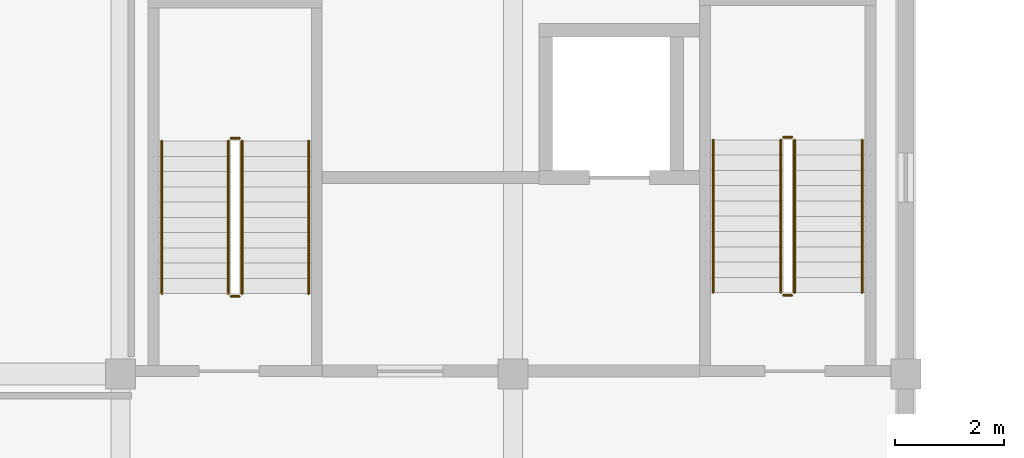
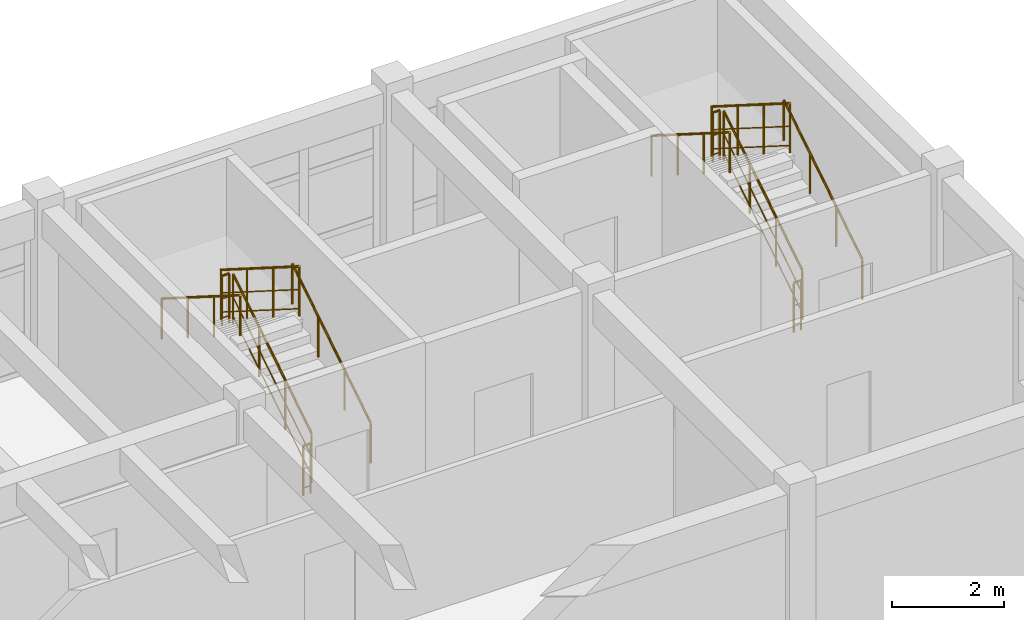
# One storey, part 22 of 22: 12 railings.
"""IFC4 building model written with IfcOpenShell, lengths in metres."""

from ifc_helpers import new_model, si_unit, direction, frame, origin, origin_2d, place, context, subcontext, project, spatial, circle, extrude, material, layer, layer_set, type_object, element, save


model = new_model("IFC4")

# Units and contexts
model_context = context("Model", 3, precision=1e-05, world=origin(), true_north=direction((0.0, 1.0)))
body_context = subcontext(model_context, "Body", "Model", "MODEL_VIEW")
ifc_project = project(units=[si_unit("LENGTHUNIT", "METRE"), si_unit("AREAUNIT", "SQUARE_METRE"), si_unit("VOLUMEUNIT", "CUBIC_METRE"), si_unit("PLANEANGLEUNIT", "RADIAN"), si_unit("MASSUNIT", "GRAM", prefix="KILO")], contexts=[model_context])

# Site, building, storey
site_placement = place(None, origin())
site = spatial("IfcSite", under=ifc_project, at=site_placement, CompositionType="ELEMENT")
building_placement = place(site_placement, origin())
building = spatial("IfcBuilding", under=site, at=building_placement, Name="Koriwan Promenade Central Fire Station", CompositionType="ELEMENT")
storey_placement = place(building_placement, frame((0.0, 0.0, 17.39990234375)))
storey = spatial("IfcBuildingStorey", under=building, at=storey_placement, Name="L04", CompositionType="ELEMENT", Elevation=17.39990234375)

# Railings
ifc_material_1 = material(Name="Steel ASTM A500 Grade C", Category="steel")
ifc_layer_1 = layer(ifc_material_1, 0.050048828125, Name="Steel ASTM A500 Grade C")
ifc_layer_set_1 = layer_set([ifc_layer_1], Name="Steel ASTM A500 Grade C")
railing_type_1 = type_object("IfcRailingType", Name="StairGuard_1100", PredefinedType="BALUSTRADE", material=ifc_layer_set_1)
railing_1_placement = place(storey_placement, frame((98.760009765625, 109.489990234375, 0.177490234375)))
element("IfcRailing", 1, at=railing_1_placement, inside=storey, type_object=railing_type_1, Name="L04 ST04 stair guard 1", PredefinedType="BALUSTRADE", context=body_context, shape_type="SweptSolid", body=[
    extrude(circle(Radius=0.02392578125, at=origin_2d()), frame((0.0, 0.0, 1.076171875), z_axis=(0.0, 0.844908973607, 0.534910110503), x_axis=(-1.0, 0.0, 0.0)), (0.0, 0.0, 1.0), 3.31396484375),
    extrude(circle(Radius=0.012939453125, at=origin_2d()), frame((0.0, 0.0, 0.572021484375), z_axis=(0.0, 0.844908973607, 0.534910110503), x_axis=(-1.0, 0.0, 0.0)), (0.0, 0.0, 1.0), 3.31396484375),
    extrude(circle(Radius=0.012939453125, at=origin_2d()), frame((0.0, 0.0, 0.154052734375), z_axis=(0.0, 0.844908973607, 0.534910110503), x_axis=(-1.0, 0.0, 0.0)), (0.0, 0.0, 1.0), 3.31396484375),
    extrude(circle(Radius=0.02099609375, at=origin_2d()), origin(), (0.0, 0.0, 1.0), 1.052001953125),
    extrude(circle(Radius=0.02099609375, at=origin_2d()), frame((0.0, 0.933349609375, 0.5908203125)), (0.0, 0.0, 1.0), 1.052001953125),
    extrude(circle(Radius=0.02099609375, at=origin_2d()), frame((0.0, 1.86669921875, 1.181884765625)), (0.0, 0.0, 1.0), 1.052001953125),
    extrude(circle(Radius=0.02099609375, at=origin_2d()), frame((0.0, 2.800048828125, 1.772705078125)), (0.0, 0.0, 1.0), 1.052001953125),
])
railing_2_placement = place(storey_placement, frame((98.7099609375, 112.340087890625, 1.9501953125)))
element("IfcRailing", 2, at=railing_2_placement, inside=storey, type_object=railing_type_1, Name="L04 ST04 stair guard 2", PredefinedType="BALUSTRADE", context=body_context, shape_type="SweptSolid", body=[
    extrude(circle(Radius=0.02392578125, at=origin_2d()), frame((0.0, 0.0, 1.076171875), z_axis=(-1.0, 0.0, 0.0), x_axis=(0.0, -1.0, 0.0)), (0.0, 0.0, 1.0), 0.14990234375),
    extrude(circle(Radius=0.012939453125, at=origin_2d()), frame((0.0, 0.0, 0.572021484375), z_axis=(-1.0, 0.0, 0.0), x_axis=(0.0, -1.0, 0.0)), (0.0, 0.0, 1.0), 0.14990234375),
    extrude(circle(Radius=0.012939453125, at=origin_2d()), frame((0.0, 0.0, 0.154052734375), z_axis=(-1.0, 0.0, 0.0), x_axis=(0.0, -1.0, 0.0)), (0.0, 0.0, 1.0), 0.14990234375),
    extrude(circle(Radius=0.02099609375, at=origin_2d()), origin(), (0.0, 0.0, 1.0), 1.052001953125),
    extrude(circle(Radius=0.02099609375, at=origin_2d()), frame((-0.14990234375, 0.0, 0.0)), (0.0, 0.0, 1.0), 1.052001953125),
])
railing_3_placement = place(storey_placement, frame((98.510009765625, 112.2900390625, 2.12744140625)))
element("IfcRailing", 3, at=railing_3_placement, inside=storey, type_object=railing_type_1, Name="L04 ST04 stair guard 3", PredefinedType="BALUSTRADE", context=body_context, shape_type="SweptSolid", body=[
    extrude(circle(Radius=0.02392578125, at=origin_2d()), frame((0.0, 0.0, 1.076171875), z_axis=(0.0, -0.844908973607, 0.534910110503), x_axis=(1.0, 0.0, 0.0)), (0.0, 0.0, 1.0), 3.31396484375),
    extrude(circle(Radius=0.012939453125, at=origin_2d()), frame((0.0, 0.0, 0.572021484375), z_axis=(0.0, -0.844908973607, 0.534910110503), x_axis=(1.0, 0.0, 0.0)), (0.0, 0.0, 1.0), 3.31396484375),
    extrude(circle(Radius=0.012939453125, at=origin_2d()), frame((0.0, 0.0, 0.154052734375), z_axis=(0.0, -0.844908973607, 0.534910110503), x_axis=(1.0, 0.0, 0.0)), (0.0, 0.0, 1.0), 3.31396484375),
    extrude(circle(Radius=0.02099609375, at=origin_2d()), origin(), (0.0, 0.0, 1.0), 1.052001953125),
    extrude(circle(Radius=0.02099609375, at=origin_2d()), frame((0.0, -0.933349609375, 0.5908203125)), (0.0, 0.0, 1.0), 1.052001953125),
    extrude(circle(Radius=0.02099609375, at=origin_2d()), frame((0.0, -1.86669921875, 1.181884765625)), (0.0, 0.0, 1.0), 1.052001953125),
    extrude(circle(Radius=0.02099609375, at=origin_2d()), frame((0.0, -2.800048828125, 1.772705078125)), (0.0, 0.0, 1.0), 1.052001953125),
])
railing_4_placement = place(storey_placement, frame((98.7099609375, 109.43994140625, 0.0)))
element("IfcRailing", 4, at=railing_4_placement, inside=storey, type_object=railing_type_1, Name="L04 ST04 stair guard 4", PredefinedType="BALUSTRADE", context=body_context, shape_type="SweptSolid", body=[
    extrude(circle(Radius=0.02392578125, at=origin_2d()), frame((0.0, 0.0, 1.076171875), z_axis=(-1.0, 0.0, 0.0), x_axis=(0.0, -1.0, 0.0)), (0.0, 0.0, 1.0), 0.14990234375),
    extrude(circle(Radius=0.012939453125, at=origin_2d()), frame((0.0, 0.0, 0.572021484375), z_axis=(-1.0, 0.0, 0.0), x_axis=(0.0, -1.0, 0.0)), (0.0, 0.0, 1.0), 0.14990234375),
    extrude(circle(Radius=0.012939453125, at=origin_2d()), frame((0.0, 0.0, 0.154052734375), z_axis=(-1.0, 0.0, 0.0), x_axis=(0.0, -1.0, 0.0)), (0.0, 0.0, 1.0), 0.14990234375),
    extrude(circle(Radius=0.02099609375, at=origin_2d()), origin(), (0.0, 0.0, 1.0), 1.052001953125),
    extrude(circle(Radius=0.02099609375, at=origin_2d()), frame((-0.14990234375, 0.0, 0.0)), (0.0, 0.0, 1.0), 1.052001953125),
])
railing_5_placement = place(storey_placement, frame((88.6298828125, 109.469970703125, 0.177490234375)))
element("IfcRailing", 5, at=railing_5_placement, inside=storey, type_object=railing_type_1, Name="L04 ST09 stair guard 1", PredefinedType="BALUSTRADE", context=body_context, shape_type="SweptSolid", body=[
    extrude(circle(Radius=0.02392578125, at=origin_2d()), frame((0.0, 0.0, 1.076171875), z_axis=(0.0, 0.844908973607, 0.534910110503), x_axis=(-1.0, 0.0, 0.0)), (0.0, 0.0, 1.0), 3.31396484375),
    extrude(circle(Radius=0.012939453125, at=origin_2d()), frame((0.0, 0.0, 0.572021484375), z_axis=(0.0, 0.844908973607, 0.534910110503), x_axis=(-1.0, 0.0, 0.0)), (0.0, 0.0, 1.0), 3.31396484375),
    extrude(circle(Radius=0.012939453125, at=origin_2d()), frame((0.0, 0.0, 0.154052734375), z_axis=(0.0, 0.844908973607, 0.534910110503), x_axis=(-1.0, 0.0, 0.0)), (0.0, 0.0, 1.0), 3.31396484375),
    extrude(circle(Radius=0.02099609375, at=origin_2d()), origin(), (0.0, 0.0, 1.0), 1.052001953125),
    extrude(circle(Radius=0.02099609375, at=origin_2d()), frame((0.0, 0.933349609375, 0.5908203125)), (0.0, 0.0, 1.0), 1.052001953125),
    extrude(circle(Radius=0.02099609375, at=origin_2d()), frame((0.0, 1.86669921875, 1.181884765625)), (0.0, 0.0, 1.0), 1.052001953125),
    extrude(circle(Radius=0.02099609375, at=origin_2d()), frame((0.0, 2.800048828125, 1.772705078125)), (0.0, 0.0, 1.0), 1.052001953125),
])
railing_6_placement = place(storey_placement, frame((88.580078125, 112.320068359375, 1.9501953125)))
element("IfcRailing", 6, at=railing_6_placement, inside=storey, type_object=railing_type_1, Name="L04 ST09 stair guard 2", PredefinedType="BALUSTRADE", context=body_context, shape_type="SweptSolid", body=[
    extrude(circle(Radius=0.02392578125, at=origin_2d()), frame((0.0, 0.0, 1.076171875), z_axis=(-1.0, 0.0, 0.0), x_axis=(0.0, -1.0, 0.0)), (0.0, 0.0, 1.0), 0.150146484375),
    extrude(circle(Radius=0.012939453125, at=origin_2d()), frame((0.0, 0.0, 0.572021484375), z_axis=(-1.0, 0.0, 0.0), x_axis=(0.0, -1.0, 0.0)), (0.0, 0.0, 1.0), 0.150146484375),
    extrude(circle(Radius=0.012939453125, at=origin_2d()), frame((0.0, 0.0, 0.154052734375), z_axis=(-1.0, 0.0, 0.0), x_axis=(0.0, -1.0, 0.0)), (0.0, 0.0, 1.0), 0.150146484375),
    extrude(circle(Radius=0.02099609375, at=origin_2d()), origin(), (0.0, 0.0, 1.0), 1.052001953125),
    extrude(circle(Radius=0.02099609375, at=origin_2d()), frame((-0.150146484375, 0.0, 0.0)), (0.0, 0.0, 1.0), 1.052001953125),
])
railing_7_placement = place(storey_placement, frame((88.3798828125, 112.27001953125, 2.12744140625)))
element("IfcRailing", 7, at=railing_7_placement, inside=storey, type_object=railing_type_1, Name="L04 ST09 stair guard 3", PredefinedType="BALUSTRADE", context=body_context, shape_type="SweptSolid", body=[
    extrude(circle(Radius=0.02392578125, at=origin_2d()), frame((0.0, 0.0, 1.076171875), z_axis=(0.0, -0.844908973607, 0.534910110503), x_axis=(1.0, 0.0, 0.0)), (0.0, 0.0, 1.0), 3.31396484375),
    extrude(circle(Radius=0.012939453125, at=origin_2d()), frame((0.0, 0.0, 0.572021484375), z_axis=(0.0, -0.844908973607, 0.534910110503), x_axis=(1.0, 0.0, 0.0)), (0.0, 0.0, 1.0), 3.31396484375),
    extrude(circle(Radius=0.012939453125, at=origin_2d()), frame((0.0, 0.0, 0.154052734375), z_axis=(0.0, -0.844908973607, 0.534910110503), x_axis=(1.0, 0.0, 0.0)), (0.0, 0.0, 1.0), 3.31396484375),
    extrude(circle(Radius=0.02099609375, at=origin_2d()), origin(), (0.0, 0.0, 1.0), 1.052001953125),
    extrude(circle(Radius=0.02099609375, at=origin_2d()), frame((0.0, -0.933349609375, 0.5908203125)), (0.0, 0.0, 1.0), 1.052001953125),
    extrude(circle(Radius=0.02099609375, at=origin_2d()), frame((0.0, -1.86669921875, 1.181884765625)), (0.0, 0.0, 1.0), 1.052001953125),
    extrude(circle(Radius=0.02099609375, at=origin_2d()), frame((0.0, -2.800048828125, 1.772705078125)), (0.0, 0.0, 1.0), 1.052001953125),
])
railing_8_placement = place(storey_placement, frame((88.580078125, 109.419921875, 0.0)))
element("IfcRailing", 8, at=railing_8_placement, inside=storey, type_object=railing_type_1, Name="L04 ST09 stair guard 4", PredefinedType="BALUSTRADE", context=body_context, shape_type="SweptSolid", body=[
    extrude(circle(Radius=0.02392578125, at=origin_2d()), frame((0.0, 0.0, 1.076171875), z_axis=(-1.0, 0.0, 0.0), x_axis=(0.0, -1.0, 0.0)), (0.0, 0.0, 1.0), 0.150146484375),
    extrude(circle(Radius=0.012939453125, at=origin_2d()), frame((0.0, 0.0, 0.572021484375), z_axis=(-1.0, 0.0, 0.0), x_axis=(0.0, -1.0, 0.0)), (0.0, 0.0, 1.0), 0.150146484375),
    extrude(circle(Radius=0.012939453125, at=origin_2d()), frame((0.0, 0.0, 0.154052734375), z_axis=(-1.0, 0.0, 0.0), x_axis=(0.0, -1.0, 0.0)), (0.0, 0.0, 1.0), 0.150146484375),
    extrude(circle(Radius=0.02099609375, at=origin_2d()), origin(), (0.0, 0.0, 1.0), 1.052001953125),
    extrude(circle(Radius=0.02099609375, at=origin_2d()), frame((-0.150146484375, 0.0, 0.0)), (0.0, 0.0, 1.0), 1.052001953125),
])
ifc_material_2 = material(Name="Stainless steel 316 tubular handrail", Category="steel")
ifc_layer_2 = layer(ifc_material_2, 0.048095703125, Name="Stainless steel 316 tubular handrail")
ifc_layer_set_2 = layer_set([ifc_layer_2], Name="Stainless steel 316 tubular handrail")
railing_type_2 = type_object("IfcRailingType", Name="StairHandrail_900", PredefinedType="HANDRAIL", material=ifc_layer_set_2)
railing_9_placement = place(storey_placement, frame((100.0, 109.489990234375, 0.177490234375)))
element("IfcRailing", 9, at=railing_9_placement, inside=storey, type_object=railing_type_2, Name="L04 ST04 stair handrail 1", PredefinedType="HANDRAIL", context=body_context, shape_type="SweptSolid", body=[
    extrude(circle(Radius=0.02392578125, at=origin_2d()), frame((0.0, 0.0, 0.8759765625), z_axis=(0.0, 0.844908973607, 0.534910110503), x_axis=(-1.0, 0.0, 0.0)), (0.0, 0.0, 1.0), 3.31396484375),
    extrude(circle(Radius=0.02099609375, at=origin_2d()), origin(), (0.0, 0.0, 1.0), 0.851806640625),
    extrude(circle(Radius=0.02099609375, at=origin_2d()), frame((0.0, 0.933349609375, 0.5908203125)), (0.0, 0.0, 1.0), 0.851806640625),
    extrude(circle(Radius=0.02099609375, at=origin_2d()), frame((0.0, 1.86669921875, 1.181884765625)), (0.0, 0.0, 1.0), 0.851806640625),
    extrude(circle(Radius=0.02099609375, at=origin_2d()), frame((0.0, 2.800048828125, 1.772705078125)), (0.0, 0.0, 1.0), 0.851806640625),
])
railing_10_placement = place(storey_placement, frame((97.27001953125, 112.2900390625, 2.12744140625)))
element("IfcRailing", 10, at=railing_10_placement, inside=storey, type_object=railing_type_2, Name="L04 ST04 stair handrail 2", PredefinedType="HANDRAIL", context=body_context, shape_type="SweptSolid", body=[
    extrude(circle(Radius=0.02392578125, at=origin_2d()), frame((0.0, 0.0, 0.8759765625), z_axis=(0.0, -0.844908973607, 0.534910110503), x_axis=(1.0, 0.0, 0.0)), (0.0, 0.0, 1.0), 3.31396484375),
    extrude(circle(Radius=0.02099609375, at=origin_2d()), origin(), (0.0, 0.0, 1.0), 0.851806640625),
    extrude(circle(Radius=0.02099609375, at=origin_2d()), frame((0.0, -0.933349609375, 0.5908203125)), (0.0, 0.0, 1.0), 0.851806640625),
    extrude(circle(Radius=0.02099609375, at=origin_2d()), frame((0.0, -1.86669921875, 1.181884765625)), (0.0, 0.0, 1.0), 0.851806640625),
    extrude(circle(Radius=0.02099609375, at=origin_2d()), frame((0.0, -2.800048828125, 1.772705078125)), (0.0, 0.0, 1.0), 0.851806640625),
])
railing_11_placement = place(storey_placement, frame((89.85009765625, 109.469970703125, 0.177490234375)))
element("IfcRailing", 11, at=railing_11_placement, inside=storey, type_object=railing_type_2, Name="L04 ST09 stair handrail 1", PredefinedType="HANDRAIL", context=body_context, shape_type="SweptSolid", body=[
    extrude(circle(Radius=0.02392578125, at=origin_2d()), frame((0.0, 0.0, 0.8759765625), z_axis=(0.0, 0.844908973607, 0.534910110503), x_axis=(-1.0, 0.0, 0.0)), (0.0, 0.0, 1.0), 3.31396484375),
    extrude(circle(Radius=0.02099609375, at=origin_2d()), origin(), (0.0, 0.0, 1.0), 0.851806640625),
    extrude(circle(Radius=0.02099609375, at=origin_2d()), frame((0.0, 0.933349609375, 0.5908203125)), (0.0, 0.0, 1.0), 0.851806640625),
    extrude(circle(Radius=0.02099609375, at=origin_2d()), frame((0.0, 1.86669921875, 1.181884765625)), (0.0, 0.0, 1.0), 0.851806640625),
    extrude(circle(Radius=0.02099609375, at=origin_2d()), frame((0.0, 2.800048828125, 1.772705078125)), (0.0, 0.0, 1.0), 0.851806640625),
])
railing_12_placement = place(storey_placement, frame((87.159912109375, 112.27001953125, 2.12744140625)))
element("IfcRailing", 12, at=railing_12_placement, inside=storey, type_object=railing_type_2, Name="L04 ST09 stair handrail 2", PredefinedType="HANDRAIL", context=body_context, shape_type="SweptSolid", body=[
    extrude(circle(Radius=0.02392578125, at=origin_2d()), frame((0.0, 0.0, 0.8759765625), z_axis=(0.0, -0.844908973607, 0.534910110503), x_axis=(1.0, 0.0, 0.0)), (0.0, 0.0, 1.0), 3.31396484375),
    extrude(circle(Radius=0.02099609375, at=origin_2d()), origin(), (0.0, 0.0, 1.0), 0.851806640625),
    extrude(circle(Radius=0.02099609375, at=origin_2d()), frame((0.0, -0.933349609375, 0.5908203125)), (0.0, 0.0, 1.0), 0.851806640625),
    extrude(circle(Radius=0.02099609375, at=origin_2d()), frame((0.0, -1.86669921875, 1.181884765625)), (0.0, 0.0, 1.0), 0.851806640625),
    extrude(circle(Radius=0.02099609375, at=origin_2d()), frame((0.0, -2.800048828125, 1.772705078125)), (0.0, 0.0, 1.0), 0.851806640625),
])

save(model, "model.ifc")
